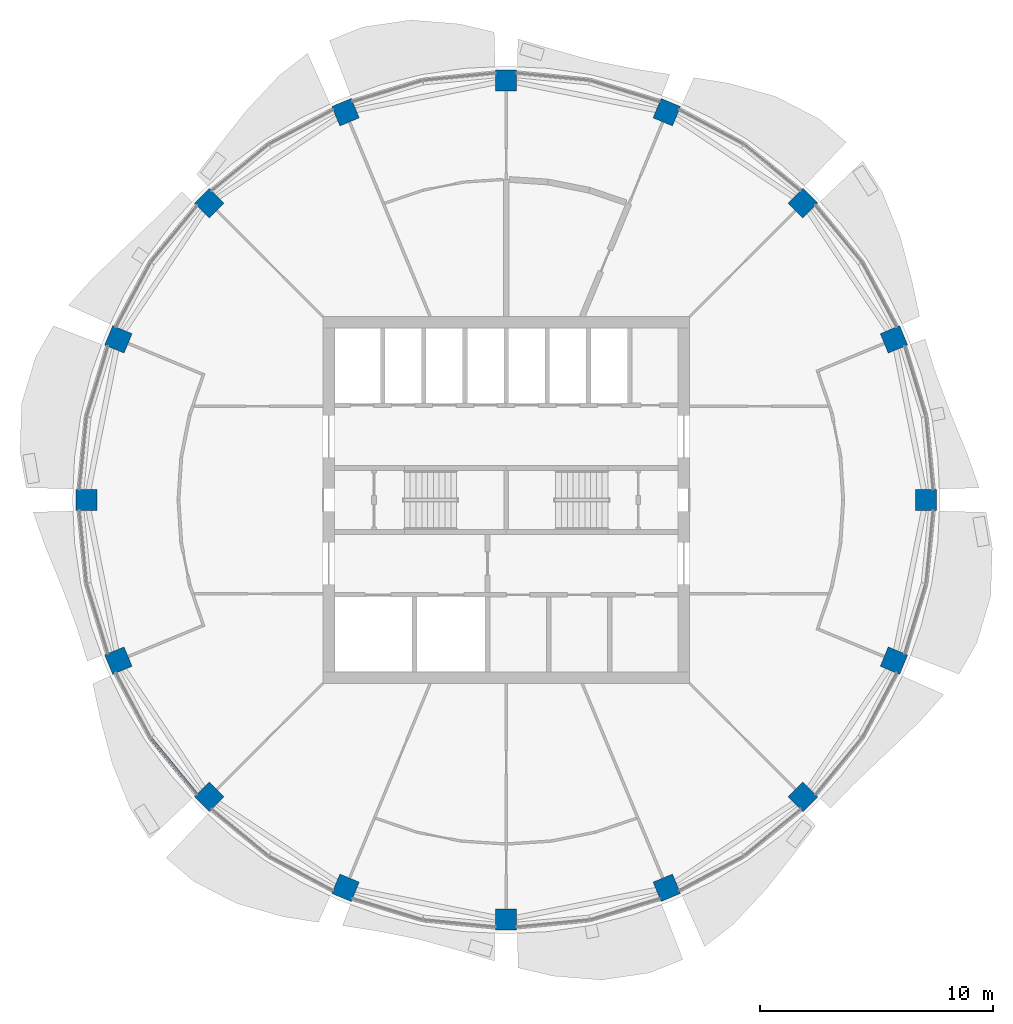
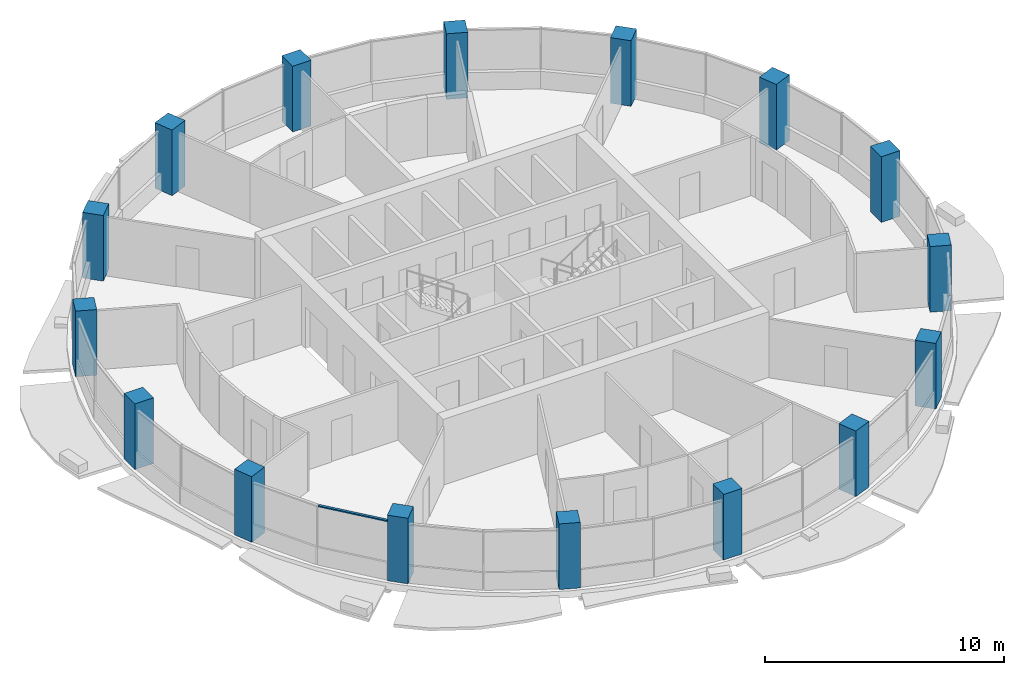
# One storey, part 1 of 15: 16 columns, 1 member, 1 element without a shape of its own.
"""IFC4 building model written with IfcOpenShell, lengths in metres."""

from ifc_helpers import new_model, si_unit, direction, frame, origin, origin_2d, place, context, subcontext, project, spatial, rectangle, extrude, material, material_profile, profile_set, type_object, element, aggregate, save


model = new_model("IFC4")

# Units and contexts
model_context = context("Model", 3, precision=1e-05, world=origin(), true_north=direction((0.0, 1.0)))
body_context = subcontext(model_context, "Body", "Model", "MODEL_VIEW")
ifc_project = project(units=[si_unit("LENGTHUNIT", "METRE"), si_unit("AREAUNIT", "SQUARE_METRE"), si_unit("VOLUMEUNIT", "CUBIC_METRE"), si_unit("PLANEANGLEUNIT", "RADIAN"), si_unit("MASSUNIT", "GRAM", prefix="KILO")], contexts=[model_context])

# Site, building, storey
site_placement = place(None, origin())
site = spatial("IfcSite", under=ifc_project, at=site_placement, CompositionType="ELEMENT")
building_placement = place(site_placement, origin())
building = spatial("IfcBuilding", under=site, at=building_placement, Name="Polderwave Tower", CompositionType="ELEMENT")
storey_placement = place(building_placement, frame((0.0, 0.0, 177.60009765625)))
storey = spatial("IfcBuildingStorey", under=building, at=storey_placement, Name="L47", CompositionType="ELEMENT", Elevation=177.60009765625)

# Columns
ifc_material_1 = material(Name="Concrete C60/75", Category="concrete")
ifc_material_profile_1 = material_profile(ifc_material_1, rectangle(XDim=0.89990234375, YDim=0.89990234375, at=origin_2d()), Name="RC 900x900")
ifc_profile_set_1 = profile_set([ifc_material_profile_1], Name="Concrete C60/75")
column_type = type_object("IfcColumnType", Name="RC COLUMN 900x900 C60/75", PredefinedType="COLUMN", material=ifc_profile_set_1)
for number, where, z_axis, x_axis, name in (
    (1, (18.02001953125, 0.0, 0.0), (0.0, 0.0, 1.0), (1.0, 0.0, 0.0), "Ring column 01"),
    (2, (16.648193359375, 6.89599609375, 0.0), (0.0, 0.0, 1.0), (0.923879532511, 0.382683432365, 0.0), "Ring column 02"),
    (3, (12.741943359375, 12.741943359375, 0.0), (0.0, 0.0, 1.0), (0.707106781187, 0.707106781187, 0.0), "Ring column 03"),
    (4, (6.89599609375, 16.648193359375, 0.0), (0.0, 0.0, 1.0), (0.382683432365, 0.923879532511, 0.0), "Ring column 04"),
    (5, (0.0, 18.02001953125, 0.0), (0.0, 0.0, 1.0), (0.0, 1.0, 0.0), "Ring column 05"),
    (6, (-6.89599609375, 16.648193359375, 0.0), (0.0, 0.0, 1.0), (-0.382683432365, 0.923879532511, 0.0), "Ring column 06"),
    (7, (-12.741943359375, 12.741943359375, 0.0), (0.0, 0.0, 1.0), (-0.707106781187, 0.707106781187, 0.0), "Ring column 07"),
    (8, (-16.648193359375, 6.89599609375, 0.0), (0.0, 0.0, 1.0), (-0.923879532511, 0.382683432365, 0.0), "Ring column 08"),
    (9, (-18.02001953125, 0.0, 0.0), (0.0, 0.0, 1.0), (-1.0, 0.0, 0.0), "Ring column 09"),
    (10, (-16.648193359375, -6.89599609375, 0.0), (0.0, 0.0, 1.0), (-0.923879532511, -0.382683432365, 0.0), "Ring column 10"),
    (11, (-12.741943359375, -12.741943359375, 0.0), (0.0, 0.0, 1.0), (-0.707106781187, -0.707106781187, 0.0), "Ring column 11"),
    (12, (-6.89599609375, -16.648193359375, 0.0), (0.0, 0.0, 1.0), (-0.382683432365, -0.923879532511, 0.0), "Ring column 12"),
    (13, (0.0, -18.02001953125, 0.0), (0.0, 0.0, 1.0), (0.0, -1.0, 0.0), "Ring column 13"),
    (14, (6.89599609375, -16.648193359375, 0.0), (0.0, 0.0, 1.0), (0.382683432365, -0.923879532511, 0.0), "Ring column 14"),
    (15, (12.741943359375, -12.741943359375, 0.0), (0.0, 0.0, 1.0), (0.707106781187, -0.707106781187, 0.0), "Ring column 15"),
    (16, (16.648193359375, -6.89599609375, 0.0), (0.0, 0.0, 1.0), (0.923879532511, -0.382683432365, 0.0), "Ring column 16"),
):
    element("IfcColumn", number, at=place(storey_placement, frame(where, z_axis=z_axis, x_axis=x_axis)), inside=storey, type_object=column_type, Name=name, PredefinedType="COLUMN", context=body_context, shape_type="SweptSolid", body=[
        extrude(rectangle(XDim=0.89990234375, YDim=0.89990234375, at=origin_2d()), origin(), (0.0, 0.0, 1.0), 3.349853515625),
    ])

# Curtain wall, member
ifc_material_2 = material(Name="Aluminium 6063-T6 and glass", Category="aluminium")
curtain_wall_type = type_object("IfcCurtainWallType", Name="Office ribbon glazing wall", PredefinedType="NOTDEFINED", material=ifc_material_2)
curtain_wall_placement = place(storey_placement, origin())
curtain_wall = element("IfcCurtainWall", 17, at=curtain_wall_placement, inside=storey, type_object=curtain_wall_type, Name="CW3 L47 09", PredefinedType="NOTDEFINED")
ifc_material_3 = material(Name="Aluminium 6063-T6", Category="aluminium")
ifc_material_profile_2 = material_profile(ifc_material_3, rectangle(XDim=0.1201171875, YDim=0.06005859375, at=origin_2d()), Name="AL 60x120")
ifc_profile_set_2 = profile_set([ifc_material_profile_2], Name="Aluminium 6063-T6")
member_type = type_object("IfcMemberType", Name="Office ribbon glazing transom 60x120", PredefinedType="USERDEFINED", material=ifc_profile_set_2)
member_placement = place(storey_placement, frame((-15.256591796875, -10.227294921875, 2.969970703125), z_axis=(0.634535918475, -0.772893374383, 0.0), x_axis=(0.772893374383, 0.634535918475, 0.0)))
member = element("IfcMember", 18, at=member_placement, type_object=member_type, Name="CW3 transom 2", ObjectType="TRANSOM", PredefinedType="USERDEFINED", context=body_context, shape_type="SweptSolid", body=[
    extrude(rectangle(XDim=0.1201171875, YDim=0.06005859375, at=origin_2d()), origin(), (0.0, 0.0, 1.0), 3.12158203125),
])
aggregate(curtain_wall, [member])

save(model, "model.ifc")
